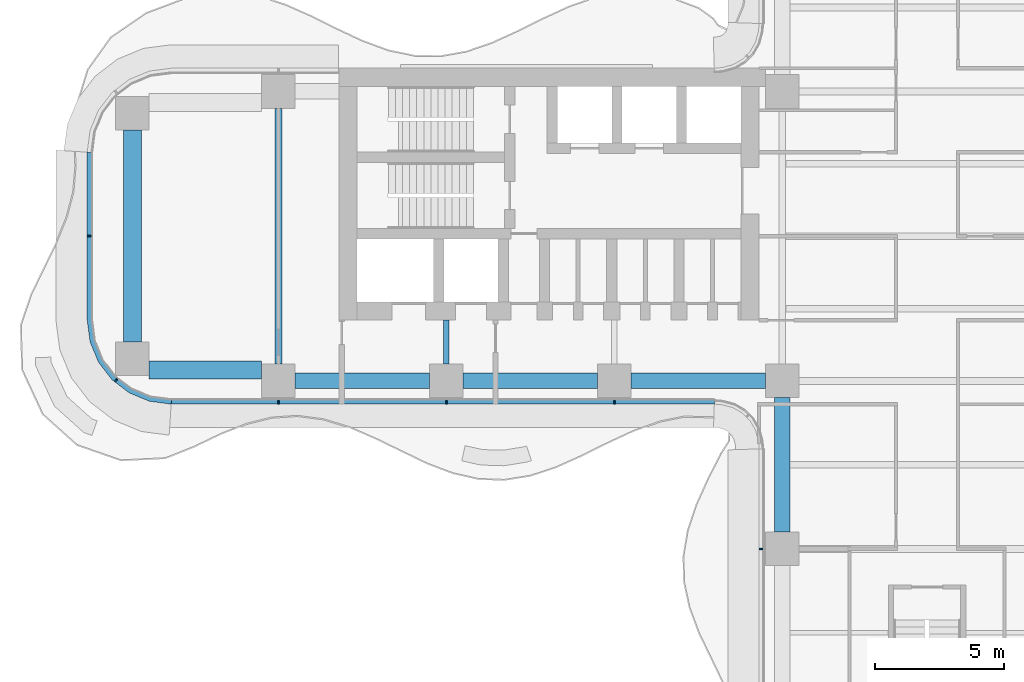
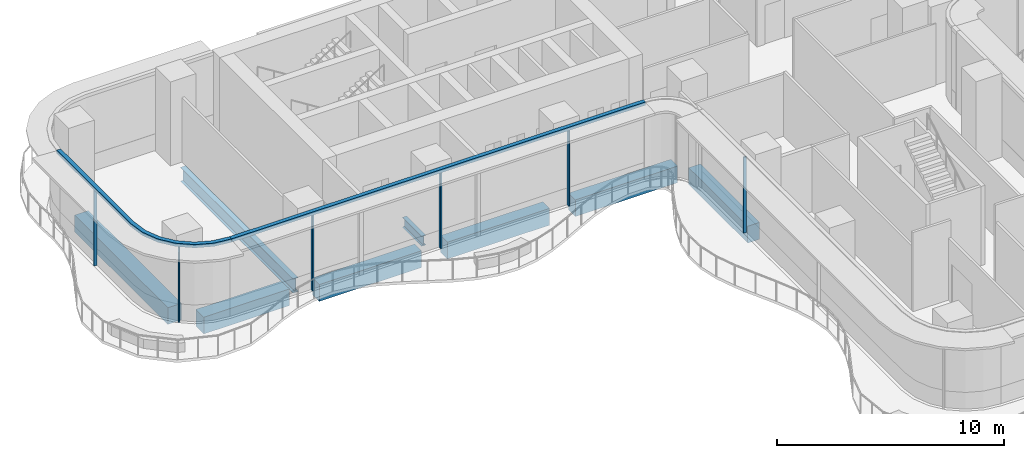
# One storey, part 3 of 23: 8 beams, 8 members, 3 elements without a shape of their own.
"""IFC4 building model written with IfcOpenShell, lengths in metres."""

from ifc_helpers import new_model, si_unit, direction, frame, origin, origin_2d, place, context, subcontext, project, spatial, polyline, rectangle, i_section, outline, extrude, source, transform, mapped, material, layer, layer_set, material_profile, profile_set, type_object, element, aggregate, save


model = new_model("IFC4")

# Units and contexts
model_context = context("Model", 3, precision=1e-05, world=origin(), true_north=direction((0.0, 1.0)))
body_context = subcontext(model_context, "Body", "Model", "MODEL_VIEW")
ifc_project = project(units=[si_unit("LENGTHUNIT", "METRE"), si_unit("AREAUNIT", "SQUARE_METRE"), si_unit("VOLUMEUNIT", "CUBIC_METRE"), si_unit("PLANEANGLEUNIT", "RADIAN"), si_unit("MASSUNIT", "GRAM", prefix="KILO")], contexts=[model_context])

# Site, building, storey
site_placement = place(None, origin())
site = spatial("IfcSite", under=ifc_project, at=site_placement, CompositionType="ELEMENT")
building_placement = place(site_placement, origin())
building = spatial("IfcBuilding", under=site, at=building_placement, Name="Trellis Farm Tower", CompositionType="ELEMENT")
storey_placement = place(building_placement, frame((0.0, 0.0, 111.0)))
storey = spatial("IfcBuildingStorey", under=building, at=storey_placement, Name="L23", CompositionType="ELEMENT", Elevation=111.0)

# Beams
ifc_material_1 = material(Name="Steel S355", Category="steel")
ifc_material_profile_1 = material_profile(ifc_material_1, i_section(OverallWidth=0.2666015625, OverallDepth=0.76220703125, WebThickness=0.014404296875, FlangeThickness=0.021484375, FilletRadius=0.0166015625, at=origin_2d()), Name="UB 762x267x173")
ifc_profile_set_1 = profile_set([ifc_material_profile_1], Name="Steel S355")
beam_type_1 = type_object("IfcBeamType", Name="UB 762x267x173", PredefinedType="BEAM", material=ifc_profile_set_1)
shared_shape_1 = source(origin(), body_context, "Body", "SweptSolid", [
    extrude(i_section(OverallWidth=0.2666015625, OverallDepth=0.76220703125, WebThickness=0.014404296875, FlangeThickness=0.021484375, FilletRadius=0.0166015625, at=origin_2d()), origin(), (0.0, 0.0, 1.0), 9.89990234375),
])
beam_1_placement = place(storey_placement, frame((-25.10009765625, -4.949951171875, -0.631103515625), z_axis=(0.0, 1.0, 0.0), x_axis=(-1.0, 0.0, 0.0)))
element("IfcBeam", 1, at=beam_1_placement, inside=storey, type_object=beam_type_1, Name="Girder", PredefinedType="BEAM", context=body_context, shape_type="MappedRepresentation", body=[
    mapped(shared_shape_1, transform((0.0, 0.0, 0.0))),
])
ifc_material_profile_2 = material_profile(ifc_material_1, i_section(OverallWidth=0.209228515625, OverallDepth=0.533203125, WebThickness=0.010009765625, FlangeThickness=0.015625, FilletRadius=0.0126953125, at=origin_2d()), Name="UB 533x210x92")
ifc_profile_set_2 = profile_set([ifc_material_profile_2], Name="Steel S355")
beam_type_2 = type_object("IfcBeamType", Name="UB 533x210x92", PredefinedType="BEAM", material=ifc_profile_set_2)
shared_shape_2 = source(origin(), body_context, "Body", "SweptSolid", [
    extrude(i_section(OverallWidth=0.209228515625, OverallDepth=0.533203125, WebThickness=0.010009765625, FlangeThickness=0.015625, FilletRadius=0.0126953125, at=origin_2d()), origin(), (0.0, 0.0, 1.0), 1.699951171875),
])
beam_2_placement = place(storey_placement, frame((-18.60009765625, -4.949951171875, -0.5166015625), z_axis=(0.0, 1.0, 0.0), x_axis=(-1.0, 0.0, 0.0)))
element("IfcBeam", 2, at=beam_2_placement, inside=storey, type_object=beam_type_2, Name="Girder", PredefinedType="BEAM", context=body_context, shape_type="MappedRepresentation", body=[
    mapped(shared_shape_2, transform((0.0, 0.0, 0.0))),
])
ifc_material_2 = material(Name="Concrete C60/75", Category="concrete")
ifc_material_profile_3 = material_profile(ifc_material_2, rectangle(XDim=0.60009765625, YDim=0.89990234375, at=origin_2d()), Name="RC spandrel beam 600x900 C60/75")
ifc_profile_set_3 = profile_set([ifc_material_profile_3], Name="Concrete C60/75")
beam_type_3 = type_object("IfcBeamType", Name="RC spandrel beam 600x900 C60/75", PredefinedType="SPANDREL", material=ifc_profile_set_3)
shared_shape_3 = source(origin(), body_context, "Body", "SweptSolid", [
    extrude(rectangle(XDim=0.60009765625, YDim=0.89990234375, at=origin_2d()), origin(), (0.0, 0.0, 1.0), 5.199951171875),
])
for number, where, z_axis, x_axis, name in (
    (3, (-24.449951171875, -5.60009765625, -0.699951171875), (1.0, 0.0, 0.0), (0.0, 1.0, 0.0), "Girder"),
    (4, (-17.949951171875, -5.60009765625, -0.699951171875), (1.0, 0.0, 0.0), (0.0, 1.0, 0.0), "Girder"),
    (5, (-11.449951171875, -5.60009765625, -0.699951171875), (1.0, 0.0, 0.0), (0.0, 1.0, 0.0), "Girder"),
    (6, (-5.60009765625, -11.449951171875, -0.699951171875), (0.0, 1.0, 0.0), (-1.0, 0.0, 0.0), "Girder"),
):
    element("IfcBeam", number, at=place(storey_placement, frame(where, z_axis=z_axis, x_axis=x_axis)), inside=storey, type_object=beam_type_3, Name=name, PredefinedType="SPANDREL", context=body_context, shape_type="MappedRepresentation", body=[
        mapped(shared_shape_3, transform((0.0, 0.0, 0.0))),
    ])
ifc_material_profile_4 = material_profile(ifc_material_2, rectangle(XDim=0.699951171875, YDim=0.89990234375, at=origin_2d()), Name="RC spandrel beam 700x900 C60/75")
ifc_profile_set_4 = profile_set([ifc_material_profile_4], Name="Concrete C60/75")
beam_type_4 = type_object("IfcBeamType", Name="RC spandrel beam 700x900 C60/75", PredefinedType="SPANDREL", material=ifc_profile_set_4)
shared_shape_4 = source(origin(), body_context, "Body", "SweptSolid", [
    extrude(rectangle(XDim=0.699951171875, YDim=0.89990234375, at=origin_2d()), origin(), (0.0, 0.0, 1.0), 4.35009765625),
])
beam_3_placement = place(storey_placement, frame((-30.10009765625, -5.175048828125, -0.699951171875), z_axis=(1.0, 0.0, 0.0), x_axis=(0.0, 1.0, 0.0)))
element("IfcBeam", 7, at=beam_3_placement, inside=storey, type_object=beam_type_4, Name="Girder", PredefinedType="SPANDREL", context=body_context, shape_type="MappedRepresentation", body=[
    mapped(shared_shape_4, transform((0.0, 0.0, 0.0))),
])
shared_shape_5 = source(origin(), body_context, "Body", "SweptSolid", [
    extrude(rectangle(XDim=0.699951171875, YDim=0.89990234375, at=origin_2d()), origin(), (0.0, 0.0, 1.0), 8.2001953125),
])
beam_4_placement = place(storey_placement, frame((-30.75, -4.10009765625, -0.699951171875), z_axis=(0.0, 1.0, 0.0), x_axis=(-1.0, 0.0, 0.0)))
element("IfcBeam", 8, at=beam_4_placement, inside=storey, type_object=beam_type_4, Name="Girder", PredefinedType="SPANDREL", context=body_context, shape_type="MappedRepresentation", body=[
    mapped(shared_shape_5, transform((0.0, 0.0, 0.0))),
])

# Curtain wall, members
ifc_material_3 = material(Name="Aluminium and glass curtain wall", Category="aluminium")
ifc_layer_1 = layer(ifc_material_3, 0.18994140625)
ifc_layer_set_1 = layer_set([ifc_layer_1], Name="RIBBON CURTAIN WALL CW1")
curtain_wall_type = type_object("IfcCurtainWallType", Name="RIBBON CURTAIN WALL CW1", PredefinedType="NOTDEFINED", material=ifc_layer_set_1)
placement_1 = place(storey_placement, origin())
curtain_wall_1 = element("IfcCurtainWall", 9, at=placement_1, inside=storey, type_object=curtain_wall_type, Name="CW1 001", PredefinedType="NOTDEFINED")
ifc_material_4 = material(Name="Aluminium extrusion 6063-T6", Category="aluminium")
ifc_material_profile_5 = material_profile(ifc_material_4, rectangle(XDim=0.06005859375, YDim=0.14990234375, at=origin_2d()), Name="MULLION 60x150")
ifc_profile_set_5 = profile_set([ifc_material_profile_5], Name="Aluminium extrusion 6063-T6")
member_type_1 = type_object("IfcMemberType", Name="CW1 MULLION 60x150", PredefinedType="MULLION", material=ifc_profile_set_5)
shared_shape_6 = source(origin(), body_context, "Body", "SweptSolid", [
    extrude(rectangle(XDim=0.06005859375, YDim=0.14990234375, at=origin_2d()), origin(), (0.0, 0.0, 1.0), 4.070068359375),
])
member_1_placement = place(storey_placement, frame((-25.10009765625, -6.425048828125, 0.0), z_axis=(0.0, 0.0, 1.0), x_axis=(1.0, 0.0, 0.0)))
member_1 = element("IfcMember", 10, at=member_1_placement, type_object=member_type_1, Name="MU1 001-01", PredefinedType="MULLION", context=body_context, shape_type="MappedRepresentation", body=[
    mapped(shared_shape_6, transform((0.0, 0.0, 0.0))),
])
member_2_placement = place(storey_placement, frame((-18.60009765625, -6.425048828125, 0.0), z_axis=(0.0, 0.0, 1.0), x_axis=(1.0, 0.0, 0.0)))
member_2 = element("IfcMember", 11, at=member_2_placement, type_object=member_type_1, Name="MU1 001-02", PredefinedType="MULLION", context=body_context, shape_type="MappedRepresentation", body=[
    mapped(shared_shape_6, transform((0.0, 0.0, 0.0))),
])
member_3_placement = place(storey_placement, frame((-12.10009765625, -6.425048828125, 0.0), z_axis=(0.0, 0.0, 1.0), x_axis=(1.0, 0.0, 0.0)))
member_3 = element("IfcMember", 12, at=member_3_placement, type_object=member_type_1, Name="MU1 001-03", PredefinedType="MULLION", context=body_context, shape_type="MappedRepresentation", body=[
    mapped(shared_shape_6, transform((0.0, 0.0, 0.0))),
])

# Curtain wall, member
curtain_wall_2 = element("IfcCurtainWall", 13, at=placement_1, inside=storey, type_object=curtain_wall_type, Name="CW1 002", PredefinedType="NOTDEFINED")
member_4_placement = place(storey_placement, frame((-6.425048828125, -12.10009765625, 0.0), z_axis=(0.0, 0.0, 1.0), x_axis=(0.0, -1.0, 0.0)))
member_4 = element("IfcMember", 14, at=member_4_placement, type_object=member_type_1, Name="MU1 002-01", PredefinedType="MULLION", context=body_context, shape_type="MappedRepresentation", body=[
    mapped(shared_shape_6, transform((0.0, 0.0, 0.0))),
])
aggregate(curtain_wall_2, [member_4])

# Curtain wall, members
curtain_wall_3 = element("IfcCurtainWall", 15, at=placement_1, inside=storey, type_object=curtain_wall_type, Name="CW1 014", PredefinedType="NOTDEFINED")
member_5_placement = place(storey_placement, frame((-32.425048828125, 0.0, 0.0), z_axis=(0.0, 0.0, 1.0), x_axis=(0.0, -1.0, 0.0)))
member_5 = element("IfcMember", 16, at=member_5_placement, type_object=member_type_1, Name="MU1 014-01", PredefinedType="MULLION", context=body_context, shape_type="MappedRepresentation", body=[
    mapped(shared_shape_6, transform((0.0, 0.0, 0.0))),
])
member_6_placement = place(storey_placement, frame((-31.385498046875, -5.578369140625, 0.0), z_axis=(0.0, 0.0, 1.0), x_axis=(0.793353340291, -0.608761429009, 0.0)))
member_6 = element("IfcMember", 17, at=member_6_placement, type_object=member_type_1, Name="MU1 014-02", PredefinedType="MULLION", context=body_context, shape_type="MappedRepresentation", body=[
    mapped(shared_shape_6, transform((0.0, 0.0, 0.0))),
])

# Member
ifc_layer_2 = layer(ifc_material_4, 0.199951171875)
ifc_layer_set_2 = layer_set([ifc_layer_2], Name="Aluminium extrusion 6063-T6")
member_type_2 = type_object("IfcMemberType", Name="CW1 TRANSOM 200x180", PredefinedType="USERDEFINED", material=ifc_layer_set_2)
shared_shape_7 = source(origin(), body_context, "Body", "SweptSolid", [
    extrude(outline(polyline([(-29.25, -6.5), (-8.2314453125, -6.5), (-8.224853515625, -6.300048828125), (-29.23681640625, -6.300048828125), (-29.25, -6.5)])), origin(), (0.0, 0.0, 1.0), 0.179931640625),
])
placement_2 = place(storey_placement, frame((0.0, 0.0, 4.070068359375)))
member_7 = element("IfcMember", 18, at=placement_2, type_object=member_type_2, Name="TR1 001", ObjectType="TRANSOM", PredefinedType="USERDEFINED", context=body_context, shape_type="MappedRepresentation", body=[
    mapped(shared_shape_7, transform((0.0, 0.0, 0.0))),
])

aggregate(curtain_wall_1, [member_1, member_2, member_3, member_7])

shared_shape_8 = source(origin(), body_context, "Body", "SweptSolid", [
    extrude(outline(polyline([(-32.5, 3.25), (-32.5, -3.25), (-32.38916015625, -4.091064453125), (-32.064697265625, -4.875), (-31.548095703125, -5.548095703125), (-30.875, -6.064697265625), (-30.091064453125, -6.38916015625), (-29.25, -6.5), (-29.23681640625, -6.300048828125), (-30.0390625, -6.1943359375), (-30.774169921875, -5.889892578125), (-31.405517578125, -5.405517578125), (-31.889892578125, -4.774169921875), (-32.1943359375, -4.0390625), (-32.300048828125, -3.23681640625), (-32.300048828125, 3.23681640625), (-32.5, 3.25)])), origin(), (0.0, 0.0, 1.0), 0.179931640625),
])
member_8 = element("IfcMember", 19, at=placement_2, type_object=member_type_2, Name="TR1 014", ObjectType="TRANSOM", PredefinedType="USERDEFINED", context=body_context, shape_type="MappedRepresentation", body=[
    mapped(shared_shape_8, transform((0.0, 0.0, 0.0))),
])

aggregate(curtain_wall_3, [member_5, member_6, member_8])

save(model, "model.ifc")
